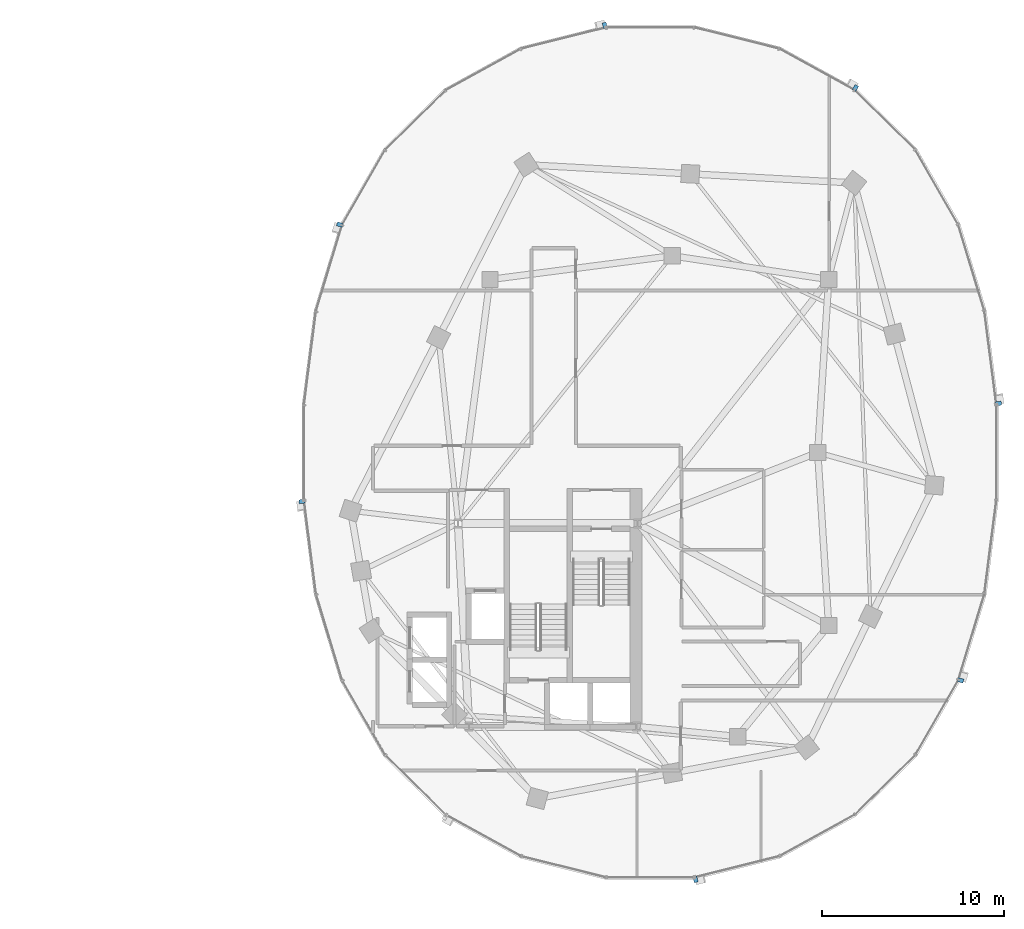
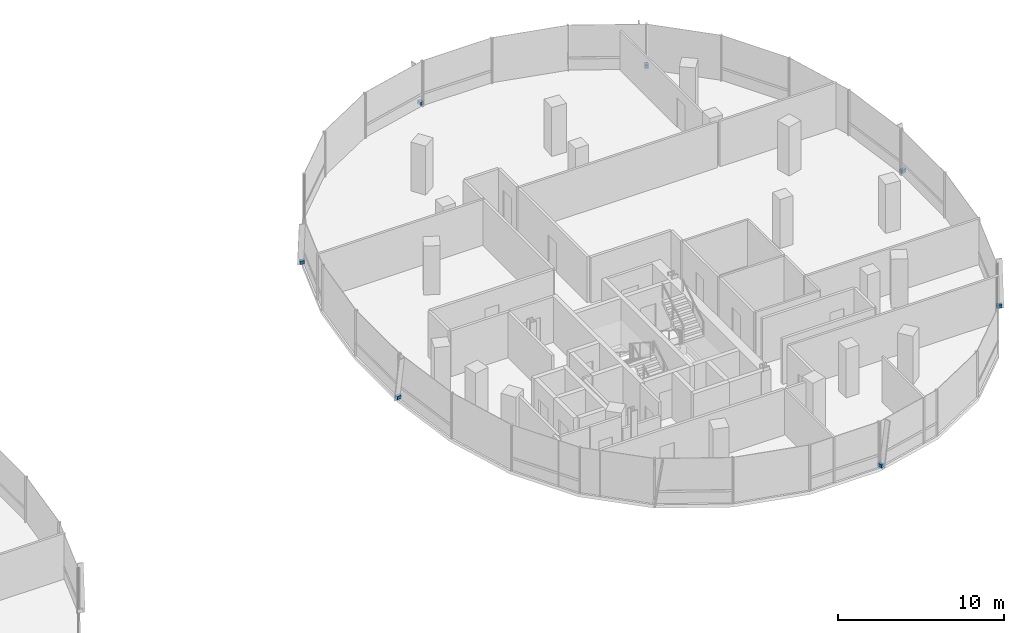
# One storey, part 17 of 22: 7 discrete accessories.
"""IFC4 building model written with IfcOpenShell, lengths in metres."""

from ifc_helpers import new_model, si_unit, direction, frame, origin, origin_2d, place, context, subcontext, project, spatial, rectangle, extrude, material, type_object, element, save


model = new_model("IFC4")

# Units and contexts
model_context = context("Model", 3, precision=1e-05, world=origin(), true_north=direction((0.0, 1.0)))
body_context = subcontext(model_context, "Body", "Model", "MODEL_VIEW")
ifc_project = project(units=[si_unit("LENGTHUNIT", "METRE"), si_unit("AREAUNIT", "SQUARE_METRE"), si_unit("VOLUMEUNIT", "CUBIC_METRE"), si_unit("PLANEANGLEUNIT", "RADIAN"), si_unit("MASSUNIT", "GRAM", prefix="KILO"), si_unit("THERMODYNAMICTEMPERATUREUNIT", "KELVIN"), si_unit("POWERUNIT", "WATT")], contexts=[model_context])

# Site, building, storey
site_placement = place(None, origin())
site = spatial("IfcSite", under=ifc_project, at=site_placement, CompositionType="ELEMENT")
building_placement = place(site_placement, origin())
building = spatial("IfcBuilding", under=site, at=building_placement, Name="Cundina Bronze Exchange", CompositionType="ELEMENT")
storey_placement = place(building_placement, frame((0.0, 0.0, 158.39990234375)))
storey = spatial("IfcBuildingStorey", under=building, at=storey_placement, Name="L41", CompositionType="ELEMENT", Elevation=158.39990234375)

# Discrete accessories
ifc_material = material(Name="Anodised Bronze Aluminium 6063-T6", Category="aluminium")
discrete_accessory_type = type_object("IfcDiscreteAccessoryType", Name="ACC-BRK-FIN", PredefinedType="BRACKET", material=ifc_material)
for number, where, z_axis, x_axis, name in (
    (1, (51.125732421875, 2.69189453125, 0.10009765625), (0.0, 0.0, 1.0), (-0.126475984253, 0.9919696696, 0.0), "L41 Fin Support Bracket 1"),
    (2, (43.266845703125, 20.015380859375, 0.10009765625), (0.0, 0.0, 1.0), (-0.875869093438, 0.482548786301, 0.0), "L41 Fin Support Bracket 5"),
    (3, (29.507080078125, 23.44970703125, 0.10009765625), (0.0, 0.0, 1.0), (-0.970092713791, -0.242734683656, 0.0), "L41 Fin Support Bracket 1"),
    (4, (14.9541015625, 12.511962890625, 0.10009765625), (0.0, 0.0, 1.0), (-0.290050843957, -0.957011237092, 0.0), "L41 Fin Support Bracket 5"),
    (5, (12.874267578125, -2.69189453125, 0.10009765625), (0.0, 0.0, 1.0), (0.126475984253, -0.9919696696, 0.0), "L41 Fin Support Bracket 1"),
    (6, (34.492919921875, -23.44970703125, 0.10009765625), (0.0, 0.0, 1.0), (0.970092713791, 0.242734683656, 0.0), "L41 Fin Support Bracket 1"),
    (7, (49.0458984375, -12.511962890625, 0.10009765625), (0.0, 0.0, 1.0), (0.290050843957, 0.957011237092, 0.0), "L41 Fin Support Bracket 5"),
):
    element("IfcDiscreteAccessory", number, at=place(storey_placement, frame(where, z_axis=z_axis, x_axis=x_axis)), inside=storey, type_object=discrete_accessory_type, Name=name, PredefinedType="BRACKET", context=body_context, shape_type="SweptSolid", body=[
        extrude(rectangle(XDim=0.219970703125, YDim=0.320068359375, at=origin_2d()), origin(), (0.0, 0.0, 1.0), 0.239990234375),
    ])

save(model, "model.ifc")
